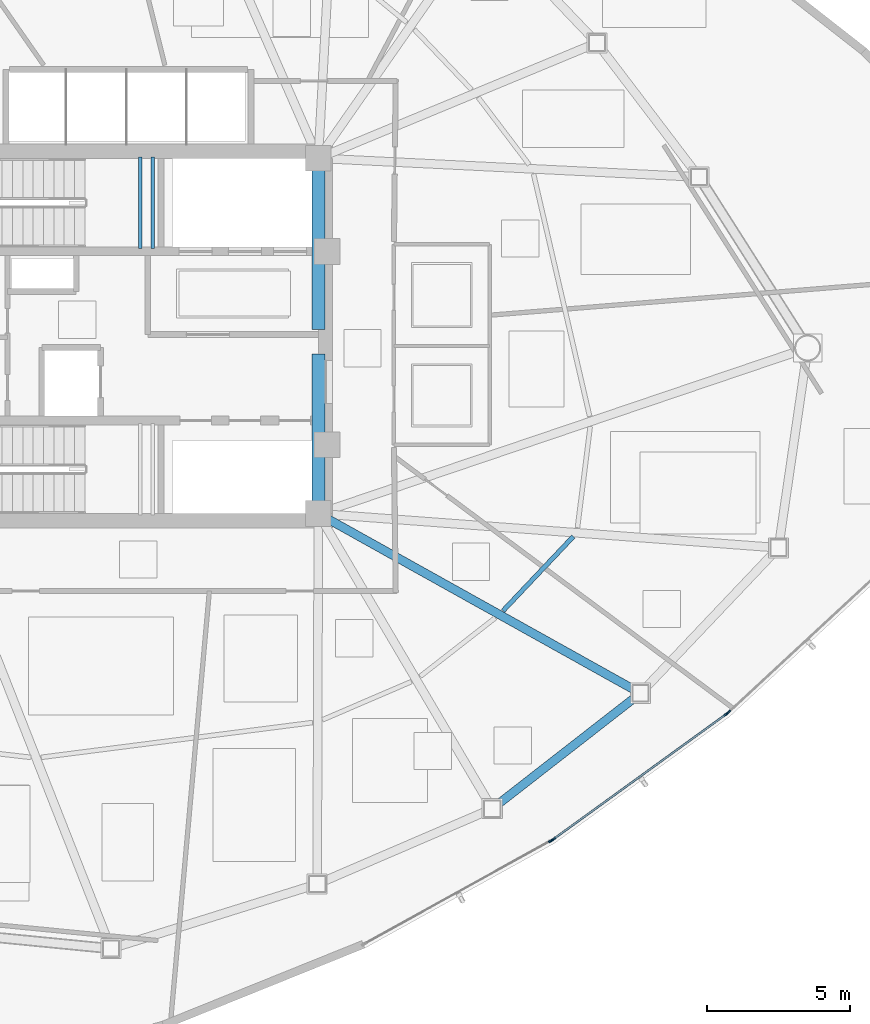
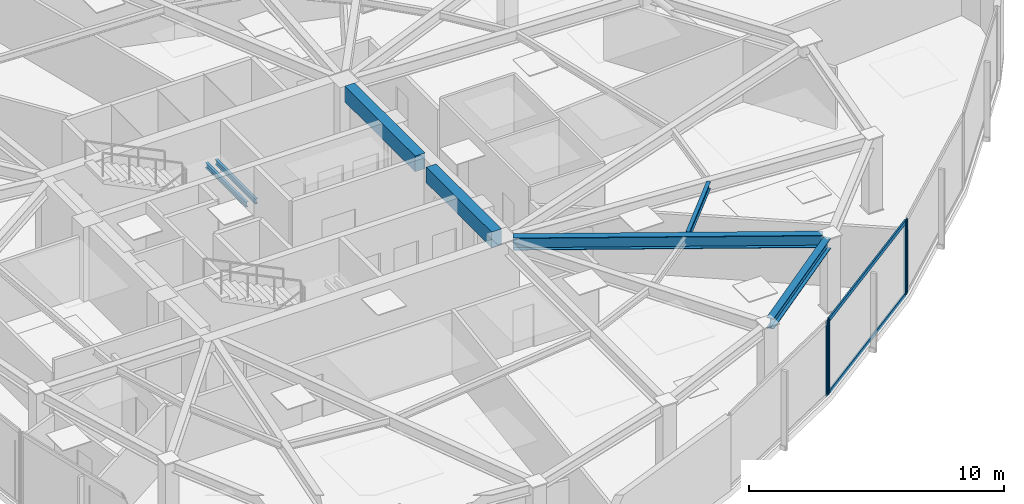
# One storey, part 5 of 17: 7 beams, 6 members, 3 elements without a shape of their own.
"""IFC4 building model written with IfcOpenShell, lengths in metres."""

from ifc_helpers import new_model, si_unit, direction, frame, origin, origin_2d, place, context, subcontext, project, spatial, rectangle, hollow_rectangle, i_section, extrude, source, transform, mapped, material, layer, layer_set, material_profile, profile_set, type_object, type_shapes, element, aggregate, save


model = new_model("IFC4")

# Units and contexts
model_context = context("Model", 3, precision=1e-05, world=origin(), true_north=direction((0.0, 1.0)))
body_context = subcontext(model_context, "Body", "Model", "MODEL_VIEW")
ifc_project = project(units=[si_unit("LENGTHUNIT", "METRE"), si_unit("AREAUNIT", "SQUARE_METRE"), si_unit("VOLUMEUNIT", "CUBIC_METRE"), si_unit("PLANEANGLEUNIT", "RADIAN"), si_unit("MASSUNIT", "GRAM", prefix="KILO")], contexts=[model_context])

# Site, building, storey
site_placement = place(None, origin())
site = spatial("IfcSite", under=ifc_project, at=site_placement, CompositionType="ELEMENT")
building_placement = place(site_placement, origin())
building = spatial("IfcBuilding", under=site, at=building_placement, Name="Tavelor Broadcast Tower", CompositionType="ELEMENT")
storey_placement = place(building_placement, frame((0.0, 0.0, 169.5)))
storey = spatial("IfcBuildingStorey", under=building, at=storey_placement, Name="L40", CompositionType="ELEMENT", Elevation=169.5)

# Beams
ifc_material_1 = material(Name="Concrete C40/50", Category="concrete")
ifc_material_profile_1 = material_profile(ifc_material_1, rectangle(XDim=0.449951171875, YDim=0.75, at=origin_2d()), Name="RC 450x750")
ifc_profile_set_1 = profile_set([ifc_material_profile_1], Name="Concrete C40/50")
beam_type_1 = type_object("IfcBeamType", Name="Basement Core Trim Beam 450x750", PredefinedType="BEAM", material=ifc_profile_set_1)
beam_1_placement = place(storey_placement, frame((56.60009765625, 45.23193359375, 3.175048828125), z_axis=(0.0, 1.0, 0.0), x_axis=(-1.0, 0.0, 0.0)))
element("IfcBeam", 1, at=beam_1_placement, inside=storey, type_object=beam_type_1, Name="L40 Core East-N Tie Girder", PredefinedType="BEAM", context=body_context, shape_type="SweptSolid", body=[
    extrude(rectangle(XDim=0.449951171875, YDim=0.75, at=origin_2d()), origin(), (0.0, 0.0, 1.0), 5.5361328125),
])
beam_2_placement = place(storey_placement, frame((56.60009765625, 39.23193359375, 3.175048828125), z_axis=(0.0, 1.0, 0.0), x_axis=(-1.0, 0.0, 0.0)))
element("IfcBeam", 2, at=beam_2_placement, inside=storey, type_object=beam_type_1, Name="L40 Core East-S Tie Girder", PredefinedType="BEAM", context=body_context, shape_type="SweptSolid", body=[
    extrude(rectangle(XDim=0.449951171875, YDim=0.75, at=origin_2d()), origin(), (0.0, 0.0, 1.0), 5.135986328125),
])
ifc_material_2 = material(Name="Steel S355", Category="steel")
ifc_material_profile_2 = material_profile(ifc_material_2, i_section(OverallWidth=0.159912109375, OverallDepth=0.330078125, WebThickness=0.007568359375, FlangeThickness=0.011474609375, at=origin_2d()), Name="IPE 330")
ifc_profile_set_2 = profile_set([ifc_material_profile_2], Name="Steel S355")
beam_type_2 = type_object("IfcBeamType", Name="Composite Floor Joist T4 IPE 330", PredefinedType="JOIST", material=ifc_profile_set_2)
beam_3_placement = place(storey_placement, frame((63.04541015625, 35.4072265625, 3.385009765625), z_axis=(0.687334543524, 0.726340984166, 0.0), x_axis=(-0.726340984166, 0.687334543524, 0.0)))
element("IfcBeam", 3, at=beam_3_placement, inside=storey, type_object=beam_type_2, Name="L40 Secondary Composite Floor Joist 11", PredefinedType="JOIST", context=body_context, shape_type="SweptSolid", body=[
    extrude(i_section(OverallWidth=0.159912109375, OverallDepth=0.330078125, WebThickness=0.007568359375, FlangeThickness=0.011474609375, at=origin_2d()), origin(), (0.0, 0.0, 1.0), 3.567626953125),
])
ifc_material_profile_3 = material_profile(ifc_material_2, i_section(OverallWidth=0.300048828125, OverallDepth=0.5, WebThickness=0.014404296875, FlangeThickness=0.028076171875, at=origin_2d()), Name="HEB 500")
ifc_profile_set_3 = profile_set([ifc_material_profile_3], Name="Steel S355")
beam_type_3 = type_object("IfcBeamType", Name="Perimeter Spandrel Beam T4 HEB 500", PredefinedType="SPANDREL", material=ifc_profile_set_3)
beam_4_placement = place(storey_placement, frame((62.896484375, 28.68017578125, 3.300048828125), z_axis=(0.788978387361, 0.614420950389, 0.0), x_axis=(-0.614420950389, 0.788978387361, 0.0)))
element("IfcBeam", 4, at=beam_4_placement, inside=storey, type_object=beam_type_3, Name="L40 Framed-Tube Ring Spandrel 10", PredefinedType="SPANDREL", context=body_context, shape_type="SweptSolid", body=[
    extrude(i_section(OverallWidth=0.300048828125, OverallDepth=0.5, WebThickness=0.014404296875, FlangeThickness=0.028076171875, at=origin_2d()), origin(), (0.0, 0.0, 1.0), 5.98046875),
])
ifc_material_profile_4 = material_profile(ifc_material_2, i_section(OverallWidth=0.300048828125, OverallDepth=0.590087890625, WebThickness=0.012939453125, FlangeThickness=0.02490234375, at=origin_2d()), Name="HEA 600")
ifc_profile_set_4 = profile_set([ifc_material_profile_4], Name="Steel S355")
beam_type_4 = type_object("IfcBeamType", Name="Radial Floor Girder T4 HEA 600", PredefinedType="BEAM", material=ifc_profile_set_4)
beam_5_placement = place(storey_placement, frame((56.977294921875, 38.589599609375, 3.2548828125), z_axis=(0.8734199139, -0.486967816187, 0.0), x_axis=(0.486967816187, 0.8734199139, 0.0)))
element("IfcBeam", 5, at=beam_5_placement, inside=storey, type_object=beam_type_4, Name="L40 Radial Primary Floor Girder 11", PredefinedType="BEAM", context=body_context, shape_type="SweptSolid", body=[
    extrude(i_section(OverallWidth=0.300048828125, OverallDepth=0.590087890625, WebThickness=0.012939453125, FlangeThickness=0.02490234375, at=origin_2d()), origin(), (0.0, 0.0, 1.0), 12.151611328125),
])
ifc_material_profile_5 = material_profile(ifc_material_2, i_section(OverallWidth=0.1201171875, OverallDepth=0.239990234375, WebThickness=0.006103515625, FlangeThickness=0.009765625, at=origin_2d()), Name="IPE 240")
ifc_profile_set_5 = profile_set([ifc_material_profile_5], Name="Steel S355")
beam_type_5 = type_object("IfcBeamType", Name="Stairwell Landing Support Trimmer Beam IPE240", PredefinedType="BEAM", material=ifc_profile_set_5)
for number, where, z_axis, x_axis, name in (
    (6, (50.385009765625, 48.06005859375, 1.610107421875), (0.0, 1.0, 0.0), (-1.0, 0.0, 0.0), "L40 Stair Landing Support Beam 113"),
    (7, (50.824951171875, 48.06005859375, 1.610107421875), (0.0, 1.0, 0.0), (-1.0, 0.0, 0.0), "L40 Stair Landing Support Beam 114"),
):
    element("IfcBeam", number, at=place(storey_placement, frame(where, z_axis=z_axis, x_axis=x_axis)), inside=storey, type_object=beam_type_5, Name=name, PredefinedType="BEAM", context=body_context, shape_type="SweptSolid", body=[
        extrude(i_section(OverallWidth=0.1201171875, OverallDepth=0.239990234375, WebThickness=0.006103515625, FlangeThickness=0.009765625, at=origin_2d()), origin(), (0.0, 0.0, 1.0), 3.179931640625),
    ])

# Curtain wall, member
ifc_material_3 = material(Name="Architectural Anodized Aluminium", Category="aluminium")
ifc_layer = layer(ifc_material_3, 0.18994140625)
ifc_layer_set = layer_set([ifc_layer], Name="Architectural Anodized Aluminium")
curtain_wall_type = type_object("IfcCurtainWallType", Name="Tower Mid-Zone Acoustic Curtain Wall CW03", PredefinedType="NOTDEFINED", material=ifc_layer_set)
curtain_wall_1_placement = place(storey_placement, origin())
curtain_wall_1 = element("IfcCurtainWall", 8, at=curtain_wall_1_placement, inside=storey, type_object=curtain_wall_type, Name="L40 Curtain Wall CW03 Run 425", PredefinedType="NOTDEFINED")
ifc_material_profile_6 = material_profile(ifc_material_3, hollow_rectangle(XDim=0.068115234375, YDim=0.18994140625, WallThickness=0.02197265625, at=origin_2d()), Name="RHS 68x190x22")
ifc_profile_set_6 = profile_set([ifc_material_profile_6], Name="Architectural Anodized Aluminium")
member_type_1 = type_object("IfcMemberType", Name="CW03 Extruded Aluminium Mullion 68x190", PredefinedType="MULLION", material=ifc_profile_set_6)
shared_shape_1 = source(origin(), body_context, "Body", "SweptSolid", [
    extrude(hollow_rectangle(XDim=0.068115234375, YDim=0.18994140625, WallThickness=0.02197265625, at=origin_2d()), origin(), (0.0, 0.0, 1.0), 3.550048828125),
])
type_shapes(member_type_1, [shared_shape_1])
member_1_placement = place(storey_placement, frame((64.7197265625, 27.38671875, 0.0), z_axis=(0.0, 0.0, 1.0), x_axis=(-0.483668962455, 0.875251012429, 0.0)))
member_1 = element("IfcMember", 9, at=member_1_placement, type_object=member_type_1, Name="CW03 mullion 2", PredefinedType="MULLION", context=body_context, shape_type="MappedRepresentation", body=[
    mapped(shared_shape_1, transform((0.0, 0.0, 0.0), scale=1.0)),
])
aggregate(curtain_wall_1, [member_1])

# Curtain wall, members
curtain_wall_2_placement = place(storey_placement, origin())
curtain_wall_2 = element("IfcCurtainWall", 10, at=curtain_wall_2_placement, inside=storey, type_object=curtain_wall_type, Name="L40 Curtain Wall CW03 Run 426", PredefinedType="NOTDEFINED")
member_2_placement = place(storey_placement, frame((64.802490234375, 27.43896484375, 0.0), z_axis=(0.0, 0.0, 1.0), x_axis=(-0.586030677157, 0.810288865425, 0.0)))
member_2 = element("IfcMember", 11, at=member_2_placement, type_object=member_type_1, Name="CW03 mullion 1", PredefinedType="MULLION", context=body_context, shape_type="MappedRepresentation", body=[
    mapped(shared_shape_1, transform((0.0, 0.0, 0.0), scale=1.0)),
])
member_3_placement = place(storey_placement, frame((70.831298828125, 31.79931640625, 0.0), z_axis=(0.0, 0.0, 1.0), x_axis=(-0.586030677157, 0.810288865425, 0.0)))
member_3 = element("IfcMember", 12, at=member_3_placement, type_object=member_type_1, Name="CW03 mullion 2", PredefinedType="MULLION", context=body_context, shape_type="MappedRepresentation", body=[
    mapped(shared_shape_1, transform((0.0, 0.0, 0.0), scale=1.0)),
])

# Curtain wall, member
curtain_wall_3_placement = place(storey_placement, origin())
curtain_wall_3 = element("IfcCurtainWall", 13, at=curtain_wall_3_placement, inside=storey, type_object=curtain_wall_type, Name="L40 Curtain Wall CW03 Run 427", PredefinedType="NOTDEFINED")
member_4_placement = place(storey_placement, frame((70.906982421875, 31.861328125, 0.0), z_axis=(0.0, 0.0, 1.0), x_axis=(-0.67976728625, 0.733427867308, 0.0)))
member_4 = element("IfcMember", 14, at=member_4_placement, type_object=member_type_1, Name="CW03 mullion 1", PredefinedType="MULLION", context=body_context, shape_type="MappedRepresentation", body=[
    mapped(shared_shape_1, transform((0.0, 0.0, 0.0), scale=1.0)),
])
aggregate(curtain_wall_3, [member_4])

# Member
ifc_material_profile_7 = material_profile(ifc_material_3, hollow_rectangle(XDim=0.068115234375, YDim=0.18994140625, WallThickness=0.02197265625, at=origin_2d()), Name="RHS 68x190x22")
ifc_profile_set_7 = profile_set([ifc_material_profile_7], Name="Architectural Anodized Aluminium")
member_type_2 = type_object("IfcMemberType", Name="CW03 Extruded Aluminium Transom 68x190", PredefinedType="USERDEFINED", material=ifc_profile_set_7)
shared_shape_2 = source(origin(), body_context, "Body", "SweptSolid", [
    extrude(hollow_rectangle(XDim=0.068115234375, YDim=0.18994140625, WallThickness=0.02197265625, at=origin_2d()), origin(), (0.0, 0.0, 1.0), 7.372314453125),
])
type_shapes(member_type_2, [shared_shape_2])
member_5_placement = place(storey_placement, frame((64.830078125, 27.458984375, 0.033935546875), z_axis=(0.810291327147, 0.586027273385, 0.0), x_axis=(-0.586027273385, 0.810291327147, 0.0)))
member_5 = element("IfcMember", 15, at=member_5_placement, type_object=member_type_2, Name="CW03 transom 1.1", ObjectType="TRANSOM", PredefinedType="USERDEFINED", context=body_context, shape_type="MappedRepresentation", body=[
    mapped(shared_shape_2, transform((0.0, 0.0, 0.0), scale=1.0)),
])

member_6_placement = place(storey_placement, frame((64.830078125, 27.458984375, 3.51611328125), z_axis=(0.810291327147, 0.586027273385, 0.0), x_axis=(-0.586027273385, 0.810291327147, 0.0)))
member_6 = element("IfcMember", 16, at=member_6_placement, type_object=member_type_2, Name="CW03 transom 1.2", ObjectType="TRANSOM", PredefinedType="USERDEFINED", context=body_context, shape_type="MappedRepresentation", body=[
    mapped(shared_shape_2, transform((0.0, 0.0, 0.0), scale=1.0)),
])

aggregate(curtain_wall_2, [member_2, member_3, member_5, member_6])

save(model, "model.ifc")
